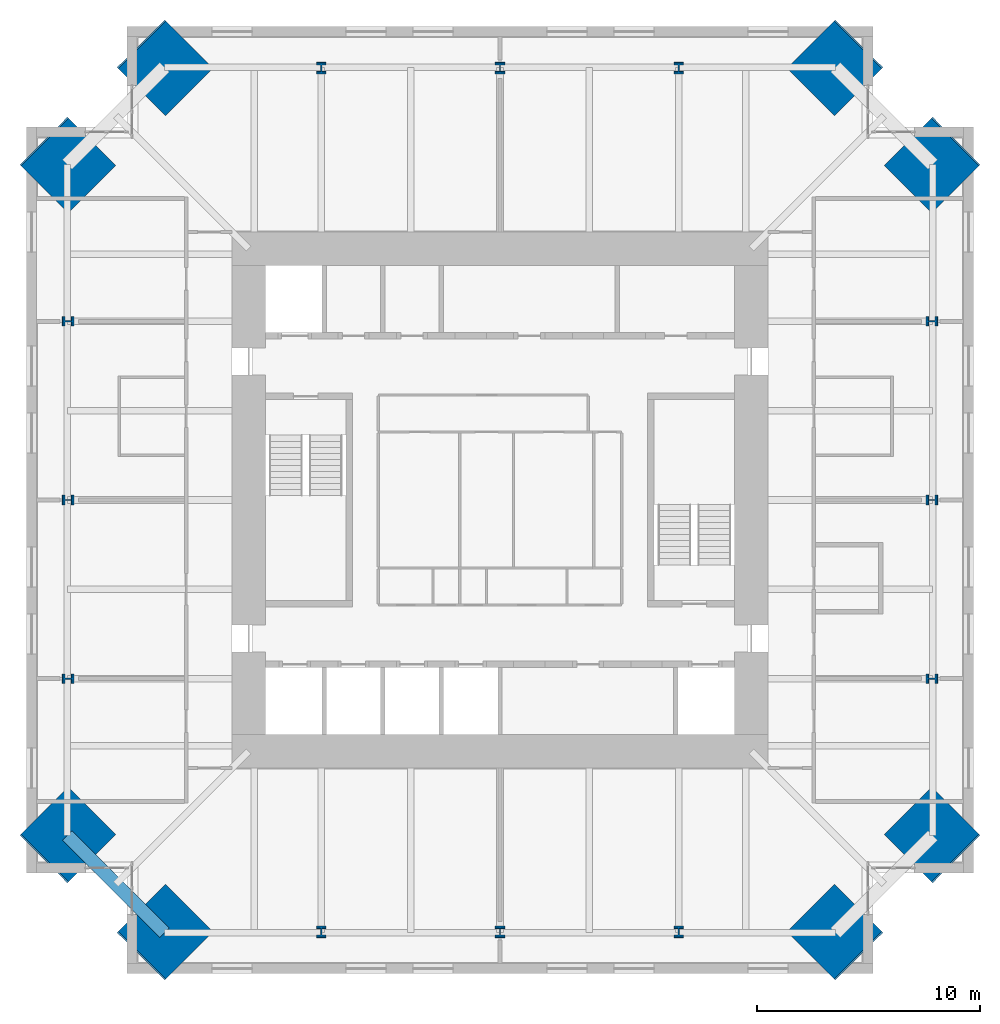
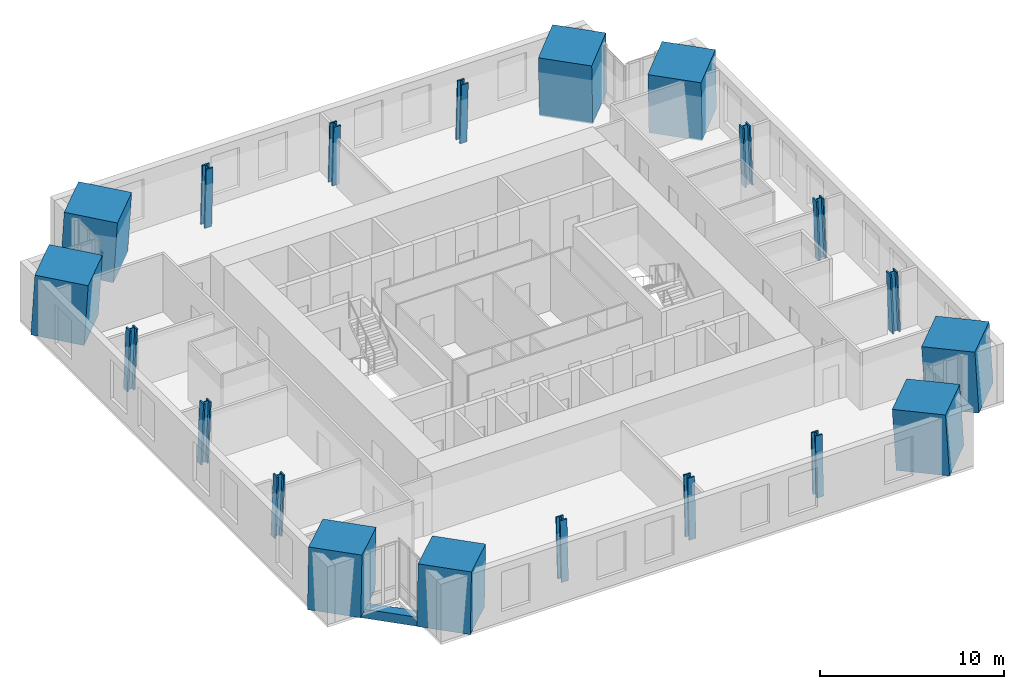
# One storey, part 1 of 15: 20 columns, 1 beam.
"""IFC4 building model written with IfcOpenShell, lengths in metres."""

from ifc_helpers import new_model, si_unit, direction, frame, origin, origin_2d, place, context, subcontext, project, spatial, rectangle, hollow_rectangle, i_section, extrude, material, material_profile, profile_set, type_object, element, save


model = new_model("IFC4")

# Units and contexts
model_context = context("Model", 3, precision=1e-05, world=origin(), true_north=direction((0.0, 1.0)))
body_context = subcontext(model_context, "Body", "Model", "MODEL_VIEW")
ifc_project = project(units=[si_unit("LENGTHUNIT", "METRE"), si_unit("AREAUNIT", "SQUARE_METRE"), si_unit("VOLUMEUNIT", "CUBIC_METRE"), si_unit("PLANEANGLEUNIT", "RADIAN"), si_unit("MASSUNIT", "GRAM", prefix="KILO")], contexts=[model_context])

# Site, building, storey
site_placement = place(None, origin())
site = spatial("IfcSite", under=ifc_project, at=site_placement, CompositionType="ELEMENT")
building_placement = place(site_placement, origin())
building = spatial("IfcBuilding", under=site, at=building_placement, Name="Peilmerk Tower", CompositionType="ELEMENT")
storey_placement = place(building_placement, frame((0.0, 0.0, 285.800048828125)))
storey = spatial("IfcBuildingStorey", under=building, at=storey_placement, Name="L64", CompositionType="ELEMENT", Elevation=285.800048828125)

# Columns
ifc_material_1 = material(Name="Concrete C90/105", Category="concrete")
ifc_material_profile_1 = material_profile(ifc_material_1, rectangle(XDim=3.0, YDim=3.0, at=origin_2d()), Name="RC 3000x3000")
ifc_profile_set_1 = profile_set([ifc_material_profile_1], Name="Concrete C90/105")
column_type_1 = type_object("IfcColumnType", Name="MC3 3000x3000 encased mega column", PredefinedType="COLUMN", material=ifc_profile_set_1)
for number, where, z_axis, x_axis, name in (
    (1, (15.0224609375, 19.37255859375, 0.0), (-0.040217894151, -0.040278830354, 0.998378754189), (0.707641859868, -0.706571297296, 0.0), "Mega column MC3 NE_N L64"),
    (2, (19.37255859375, 15.0224609375, 0.0), (-0.040278830354, -0.040217894151, 0.998378754189), (0.706571297296, -0.707641859868, 0.0), "Mega column MC3 NE_E L64"),
    (3, (19.37255859375, -15.0224609375, 0.0), (-0.040278830354, 0.040217894151, 0.998378754189), (-0.706571297296, -0.707641859868, 0.0), "Mega column MC3 SE_E L64"),
    (4, (15.0224609375, -19.37255859375, 0.0), (-0.040217894151, 0.040278830354, 0.998378754189), (-0.707641859868, -0.706571297296, 0.0), "Mega column MC3 SE_S L64"),
    (5, (-15.0224609375, -19.37255859375, 0.0), (0.040217894151, 0.040278830354, 0.998378754189), (-0.707641859868, 0.706571297296, 0.0), "Mega column MC3 SW_S L64"),
    (6, (-19.37255859375, -15.0224609375, 0.0), (0.040278830354, 0.040217894151, 0.998378754189), (-0.706571297296, 0.707641859868, 0.0), "Mega column MC3 SW_W L64"),
    (7, (-19.37255859375, 15.0224609375, 0.0), (0.040278830354, -0.040217894151, 0.998378754189), (0.706571297296, 0.707641859868, 0.0), "Mega column MC3 NW_W L64"),
    (8, (-15.0224609375, 19.37255859375, 0.0), (0.040217894151, -0.040278830354, 0.998378754189), (0.707641859868, 0.706571297296, 0.0), "Mega column MC3 NW_N L64"),
):
    element("IfcColumn", number, at=place(storey_placement, frame(where, z_axis=z_axis, x_axis=x_axis)), inside=storey, type_object=column_type_1, Name=name, PredefinedType="COLUMN", context=body_context, shape_type="SweptSolid", body=[
        extrude(rectangle(XDim=3.0, YDim=3.0, at=origin_2d()), origin(), (0.0, 0.0, 1.0), 4.006591796875),
    ])
ifc_material_2 = material(Name="Steel S460", Category="steel")
ifc_material_profile_2 = material_profile(ifc_material_2, i_section(OverallWidth=0.431884765625, OverallDepth=0.498046875, WebThickness=0.0556640625, FlangeThickness=0.0888671875, at=origin_2d()), Name="HD 400x744")
ifc_profile_set_2 = profile_set([ifc_material_profile_2], Name="Steel S460")
column_type_2 = type_object("IfcColumnType", Name="SC7 HD 400x744 perimeter column", PredefinedType="COLUMN", material=ifc_profile_set_2)
for number, where, z_axis, x_axis, name in (
    (9, (0.0, 19.37255859375, 0.0), (0.0, -0.040311445006, 0.999187163349), (1.0, 0.0, 0.0), "Perimeter column N+0 L64"),
    (10, (8.0, 19.37255859375, 0.0), (0.0, -0.040311445006, 0.999187163349), (1.0, 0.0, 0.0), "Perimeter column N-8 L64"),
    (11, (-8.0, 19.37255859375, 0.0), (0.0, -0.040311445006, 0.999187163349), (1.0, 0.0, 0.0), "Perimeter column N+8 L64"),
    (12, (19.37255859375, 0.0, 0.0), (-0.040311445006, 0.0, 0.999187163349), (0.0, -1.0, 0.0), "Perimeter column E+0 L64"),
    (13, (19.37255859375, -8.0, 0.0), (-0.040311445006, 0.0, 0.999187163349), (0.0, -1.0, 0.0), "Perimeter column E-8 L64"),
    (14, (19.37255859375, 8.0, 0.0), (-0.040311445006, 0.0, 0.999187163349), (0.0, -1.0, 0.0), "Perimeter column E+8 L64"),
    (15, (0.0, -19.37255859375, 0.0), (0.0, 0.040311445006, 0.999187163349), (-1.0, 0.0, 0.0), "Perimeter column S+0 L64"),
    (16, (-8.0, -19.37255859375, 0.0), (0.0, 0.040311445006, 0.999187163349), (-1.0, 0.0, 0.0), "Perimeter column S-8 L64"),
    (17, (8.0, -19.37255859375, 0.0), (0.0, 0.040311445006, 0.999187163349), (-1.0, 0.0, 0.0), "Perimeter column S+8 L64"),
    (18, (-19.37255859375, 0.0, 0.0), (0.040311445006, 0.0, 0.999187163349), (0.0, 1.0, 0.0), "Perimeter column W+0 L64"),
    (19, (-19.37255859375, 8.0, 0.0), (0.040311445006, 0.0, 0.999187163349), (0.0, 1.0, 0.0), "Perimeter column W-8 L64"),
    (20, (-19.37255859375, -8.0, 0.0), (0.040311445006, 0.0, 0.999187163349), (0.0, 1.0, 0.0), "Perimeter column W+8 L64"),
):
    element("IfcColumn", number, at=place(storey_placement, frame(where, z_axis=z_axis, x_axis=x_axis)), inside=storey, type_object=column_type_2, Name=name, PredefinedType="COLUMN", context=body_context, shape_type="SweptSolid", body=[
        extrude(i_section(OverallWidth=0.431884765625, OverallDepth=0.498046875, WebThickness=0.0556640625, FlangeThickness=0.0888671875, at=origin_2d()), origin(), (0.0, 0.0, 1.0), 4.003173828125),
    ])

# Beam
ifc_material_profile_3 = material_profile(ifc_material_2, hollow_rectangle(XDim=0.60009765625, YDim=0.60009765625, WallThickness=0.06005859375, at=origin_2d()), Name="BOX 600x600x60")
ifc_profile_set_3 = profile_set([ifc_material_profile_3], Name="Steel S460")
beam_type = type_object("IfcBeamType", Name="B20 BOX 600x600x60 notch beam", PredefinedType="SPANDREL", material=ifc_profile_set_3)
beam_placement = place(storey_placement, frame((-15.0224609375, -19.37255859375, -0.469970703125), z_axis=(-0.707106781187, 0.707106781187, 0.0), x_axis=(-0.707106781187, -0.707106781187, 0.0)))
element("IfcBeam", 21, at=beam_placement, inside=storey, type_object=beam_type, Name="Notch beam L64", PredefinedType="SPANDREL", context=body_context, shape_type="SweptSolid", body=[
    extrude(hollow_rectangle(XDim=0.60009765625, YDim=0.60009765625, WallThickness=0.06005859375, at=origin_2d()), origin(), (0.0, 0.0, 1.0), 6.15185546875),
])

save(model, "model.ifc")
